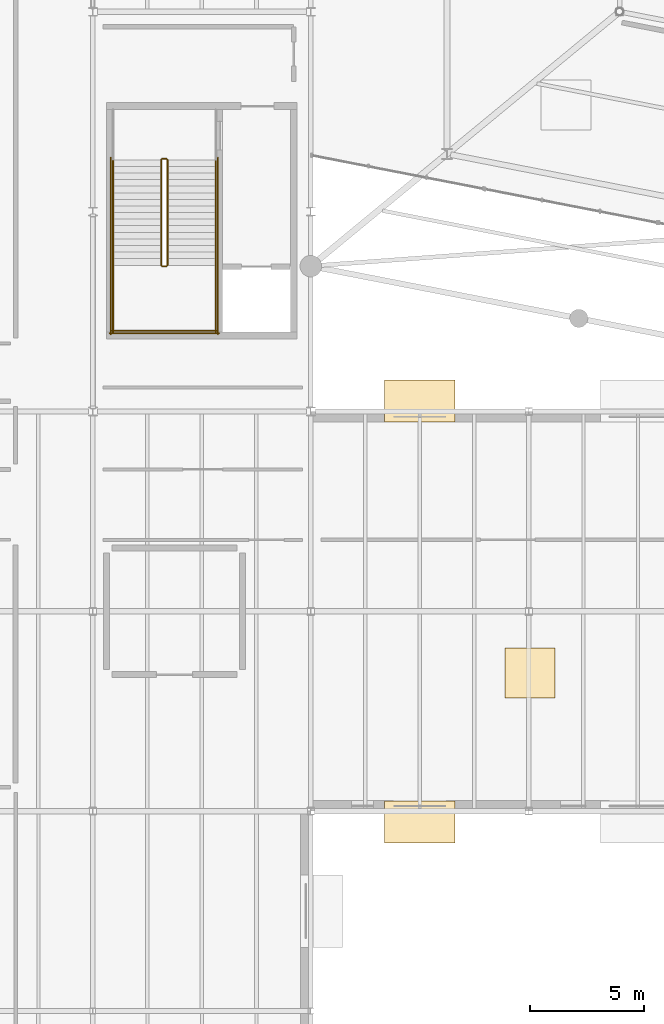
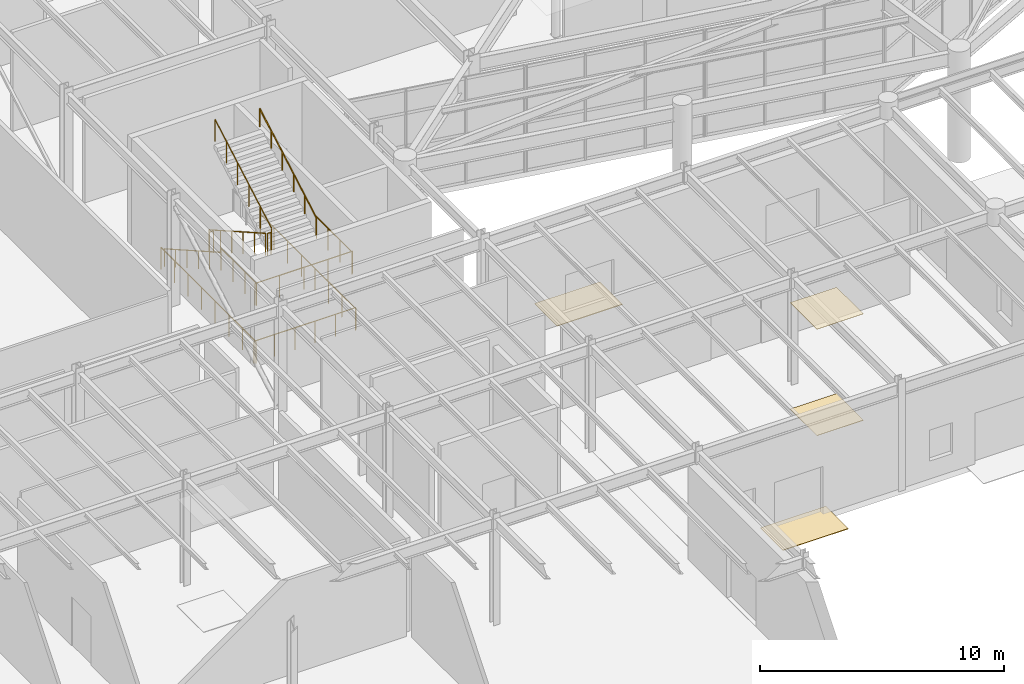
# One storey, part 61 of 70: 12 railings, 4 coverings.
"""IFC4 building model written with IfcOpenShell, lengths in metres."""

from ifc_helpers import new_model, si_unit, direction, frame, origin, origin_2d, place, context, subcontext, project, spatial, rectangle, circle, extrude, material, layer, layer_set, type_object, element, save


model = new_model("IFC4")

# Units and contexts
model_context = context("Model", 3, precision=1e-05, world=origin(), true_north=direction((0.0, 1.0)))
body_context = subcontext(model_context, "Body", "Model", "MODEL_VIEW")
ifc_project = project(units=[si_unit("LENGTHUNIT", "METRE"), si_unit("AREAUNIT", "SQUARE_METRE"), si_unit("VOLUMEUNIT", "CUBIC_METRE"), si_unit("PLANEANGLEUNIT", "RADIAN"), si_unit("MASSUNIT", "GRAM", prefix="KILO")], contexts=[model_context])

# Site, building, storey
site_placement = place(None, origin())
site = spatial("IfcSite", under=ifc_project, at=site_placement, CompositionType="ELEMENT")
building_placement = place(site_placement, origin())
building = spatial("IfcBuilding", under=site, at=building_placement, Name="Sarnbrook Museum", CompositionType="ELEMENT")
storey_placement = place(building_placement, origin())
storey = spatial("IfcBuildingStorey", under=building, at=storey_placement, Name="L00", CompositionType="ELEMENT", Elevation=0.0)

# Coverings
ifc_material_1 = material(Name="Fire-Rated Acoustic Gypsum Plasterboard")
ifc_layer_1 = layer(ifc_material_1, 0.01806640625)
ifc_layer_set_1 = layer_set([ifc_layer_1], Name="Fire-Rated Acoustic Gypsum Plasterboard")
covering_type_1 = type_object("IfcCoveringType", Name="Ceil_Acoustic18", PredefinedType="CEILING", material=ifc_layer_set_1)
covering_1_placement = place(storey_placement, frame((128.844970703125, 45.284912109375, 5.33203125), z_axis=(0.0, 0.0, 1.0), x_axis=(1.0, 0.0, 0.0)))
element("IfcCovering", 1, at=covering_1_placement, inside=storey, type_object=covering_type_1, Name="Acoustic Ceiling Baffle Panel L00-10", PredefinedType="CEILING", context=body_context, shape_type="SweptSolid", body=[
    extrude(rectangle(XDim=2.199951171875, YDim=2.199951171875, at=origin_2d()), origin(), (0.0, 0.0, 1.0), 0.01806640625),
])
ifc_material_2 = material(Name="Honed Bluestone and Marble Terrazzo Flooring", Category="masonry")
ifc_layer_2 = layer(ifc_material_2, 0.02001953125)
ifc_layer_set_2 = layer_set([ifc_layer_2], Name="Honed Bluestone and Marble Terrazzo Flooring")
covering_type_2 = type_object("IfcCoveringType", Name="Floor_Terrazzo20", PredefinedType="FLOORING", material=ifc_layer_set_2)
covering_2_placement = place(storey_placement, frame((128.844970703125, 45.284912109375, 0.0), z_axis=(0.0, 0.0, 1.0), x_axis=(1.0, 0.0, 0.0)))
element("IfcCovering", 2, at=covering_2_placement, inside=storey, type_object=covering_type_2, Name="Gallery Floor Finish Panel L00-10", PredefinedType="FLOORING", context=body_context, shape_type="SweptSolid", body=[
    extrude(rectangle(XDim=2.199951171875, YDim=2.199951171875, at=origin_2d()), origin(), (0.0, 0.0, 1.0), 0.02001953125),
])

# Railings
ifc_material_3 = material(Name="Brushed Stainless Steel Grade 316", Category="steel")
ifc_layer_3 = layer(ifc_material_3, 0.050048828125)
ifc_layer_set_3 = layer_set([ifc_layer_3], Name="Brushed Stainless Steel Grade 316")
railing_type_1 = type_object("IfcRailingType", Name="Guard_Int1120", PredefinedType="BALUSTRADE", material=ifc_layer_set_3)
railing_1_placement = place(storey_placement, frame((112.610107421875, 67.8798828125, 0.164794921875)))
element("IfcRailing", 3, at=railing_1_placement, inside=storey, type_object=railing_type_1, Name="L00 ST1 stair guard 1", PredefinedType="BALUSTRADE", context=body_context, shape_type="SweptSolid", body=[
    extrude(circle(Radius=0.02392578125, at=origin_2d()), frame((0.0, 0.0, 1.09619140625), z_axis=(0.0, -0.869540958685, 0.493860831783), x_axis=(1.0, 0.0, 0.0)), (0.0, 0.0, 1.0), 5.3359375),
    extrude(circle(Radius=0.02099609375, at=origin_2d()), origin(), (0.0, 0.0, 1.0), 1.072021484375),
    extrude(circle(Radius=0.02099609375, at=origin_2d()), frame((0.0, -0.927978515625, 0.527099609375)), (0.0, 0.0, 1.0), 1.072021484375),
    extrude(circle(Radius=0.02099609375, at=origin_2d()), frame((0.0, -1.85595703125, 1.05419921875)), (0.0, 0.0, 1.0), 1.072021484375),
    extrude(circle(Radius=0.02099609375, at=origin_2d()), frame((0.0, -2.783935546875, 1.5810546875)), (0.0, 0.0, 1.0), 1.072021484375),
    extrude(circle(Radius=0.02099609375, at=origin_2d()), frame((0.0, -3.7119140625, 2.108154296875)), (0.0, 0.0, 1.0), 1.072021484375),
    extrude(circle(Radius=0.02099609375, at=origin_2d()), frame((0.0, -4.639892578125, 2.63525390625)), (0.0, 0.0, 1.0), 1.072021484375),
])
railing_2_placement = place(storey_placement, frame((112.659912109375, 63.18994140625, 2.800048828125)))
element("IfcRailing", 4, at=railing_2_placement, inside=storey, type_object=railing_type_1, Name="L00 ST1 stair guard 2", PredefinedType="BALUSTRADE", context=body_context, shape_type="SweptSolid", body=[
    extrude(circle(Radius=0.02392578125, at=origin_2d()), frame((0.0, 0.0, 1.09619140625), z_axis=(1.0, 0.0, 0.0), x_axis=(0.0, 1.0, 0.0)), (0.0, 0.0, 1.0), 0.18017578125),
    extrude(circle(Radius=0.02099609375, at=origin_2d()), origin(), (0.0, 0.0, 1.0), 1.072021484375),
    extrude(circle(Radius=0.02099609375, at=origin_2d()), frame((0.18017578125, 0.0, 0.0)), (0.0, 0.0, 1.0), 1.072021484375),
])
for number, where, name in (
    (5, (110.489990234375, 63.239990234375, 2.800048828125), "L00 ST1 stair guard 3"),
    (6, (115.010009765625, 63.239990234375, 2.800048828125), "L00 ST1 stair guard 4"),
):
    element("IfcRailing", number, at=place(storey_placement, frame(where)), inside=storey, type_object=railing_type_1, Name=name, PredefinedType="BALUSTRADE", context=body_context, shape_type="SweptSolid", body=[
        extrude(circle(Radius=0.02392578125, at=origin_2d()), frame((0.0, 0.0, 1.09619140625), z_axis=(0.0, -1.0, 0.0), x_axis=(1.0, 0.0, 0.0)), (0.0, 0.0, 1.0), 2.93994140625),
        extrude(circle(Radius=0.02099609375, at=origin_2d()), origin(), (0.0, 0.0, 1.0), 1.072021484375),
        extrude(circle(Radius=0.02099609375, at=origin_2d()), frame((0.0, -0.97998046875, 0.0)), (0.0, 0.0, 1.0), 1.072021484375),
        extrude(circle(Radius=0.02099609375, at=origin_2d()), frame((0.0, -1.9599609375, 0.0)), (0.0, 0.0, 1.0), 1.072021484375),
        extrude(circle(Radius=0.02099609375, at=origin_2d()), frame((0.0, -2.93994140625, 0.0)), (0.0, 0.0, 1.0), 1.072021484375),
    ])
railing_3_placement = place(storey_placement, frame((110.43994140625, 60.35009765625, 2.800048828125)))
element("IfcRailing", 7, at=railing_3_placement, inside=storey, type_object=railing_type_1, Name="L00 ST1 stair guard 5", PredefinedType="BALUSTRADE", context=body_context, shape_type="SweptSolid", body=[
    extrude(circle(Radius=0.02392578125, at=origin_2d()), frame((0.0, 0.0, 1.09619140625), z_axis=(1.0, 0.0, 0.0), x_axis=(0.0, 1.0, 0.0)), (0.0, 0.0, 1.0), 4.6201171875),
    extrude(circle(Radius=0.02099609375, at=origin_2d()), origin(), (0.0, 0.0, 1.0), 1.072021484375),
    extrude(circle(Radius=0.02099609375, at=origin_2d()), frame((1.155029296875, 0.0, 0.0)), (0.0, 0.0, 1.0), 1.072021484375),
    extrude(circle(Radius=0.02099609375, at=origin_2d()), frame((2.31005859375, 0.0, 0.0)), (0.0, 0.0, 1.0), 1.072021484375),
    extrude(circle(Radius=0.02099609375, at=origin_2d()), frame((3.465087890625, 0.0, 0.0)), (0.0, 0.0, 1.0), 1.072021484375),
    extrude(circle(Radius=0.02099609375, at=origin_2d()), frame((4.6201171875, 0.0, 0.0)), (0.0, 0.0, 1.0), 1.072021484375),
])
railing_4_placement = place(storey_placement, frame((112.889892578125, 63.239990234375, 2.964599609375)))
element("IfcRailing", 8, at=railing_4_placement, inside=storey, type_object=railing_type_1, Name="L00 ST1 stair guard 6", PredefinedType="BALUSTRADE", context=body_context, shape_type="SweptSolid", body=[
    extrude(circle(Radius=0.02392578125, at=origin_2d()), frame((0.0, 0.0, 1.09619140625), z_axis=(0.0, 0.869521310511, 0.493895424728), x_axis=(-1.0, 0.0, 0.0)), (0.0, 0.0, 1.0), 5.336181640625),
    extrude(circle(Radius=0.02099609375, at=origin_2d()), origin(), (0.0, 0.0, 1.0), 1.072021484375),
    extrude(circle(Radius=0.02099609375, at=origin_2d()), frame((0.0, 0.927978515625, 0.527099609375)), (0.0, 0.0, 1.0), 1.072021484375),
    extrude(circle(Radius=0.02099609375, at=origin_2d()), frame((0.0, 1.85595703125, 1.05419921875)), (0.0, 0.0, 1.0), 1.072021484375),
    extrude(circle(Radius=0.02099609375, at=origin_2d()), frame((0.0, 2.783935546875, 1.581298828125)), (0.0, 0.0, 1.0), 1.072021484375),
    extrude(circle(Radius=0.02099609375, at=origin_2d()), frame((0.0, 3.7119140625, 2.1083984375)), (0.0, 0.0, 1.0), 1.072021484375),
    extrude(circle(Radius=0.02099609375, at=origin_2d()), frame((0.0, 4.639892578125, 2.635498046875)), (0.0, 0.0, 1.0), 1.072021484375),
])
railing_5_placement = place(storey_placement, frame((112.659912109375, 67.929931640625, 0.0)))
element("IfcRailing", 9, at=railing_5_placement, inside=storey, type_object=railing_type_1, Name="L00 ST1 stair guard 7", PredefinedType="BALUSTRADE", context=body_context, shape_type="SweptSolid", body=[
    extrude(circle(Radius=0.02392578125, at=origin_2d()), frame((0.0, 0.0, 1.09619140625), z_axis=(1.0, 0.0, 0.0), x_axis=(0.0, 1.0, 0.0)), (0.0, 0.0, 1.0), 0.18017578125),
    extrude(circle(Radius=0.02099609375, at=origin_2d()), origin(), (0.0, 0.0, 1.0), 1.072021484375),
    extrude(circle(Radius=0.02099609375, at=origin_2d()), frame((0.18017578125, 0.0, 0.0)), (0.0, 0.0, 1.0), 1.072021484375),
])
for number, where, name in (
    (10, (110.389892578125, 67.97998046875, 0.0), "L00 ST1 stair guard 10"),
    (11, (115.110107421875, 67.97998046875, 0.0), "L00 ST1 stair guard 11"),
):
    element("IfcRailing", number, at=place(storey_placement, frame(where)), inside=storey, type_object=railing_type_1, Name=name, PredefinedType="BALUSTRADE", context=body_context, shape_type="SweptSolid", body=[
        extrude(circle(Radius=0.02392578125, at=origin_2d()), frame((0.0, 0.0, 1.09619140625), z_axis=(0.0, -1.0, 0.0), x_axis=(1.0, 0.0, 0.0)), (0.0, 0.0, 1.0), 7.780029296875),
        extrude(circle(Radius=0.02099609375, at=origin_2d()), origin(), (0.0, 0.0, 1.0), 1.072021484375),
        extrude(circle(Radius=0.02099609375, at=origin_2d()), frame((0.0, -1.111328125, 0.0)), (0.0, 0.0, 1.0), 1.072021484375),
        extrude(circle(Radius=0.02099609375, at=origin_2d()), frame((0.0, -2.222900390625, 0.0)), (0.0, 0.0, 1.0), 1.072021484375),
        extrude(circle(Radius=0.02099609375, at=origin_2d()), frame((0.0, -3.334228515625, 0.0)), (0.0, 0.0, 1.0), 1.072021484375),
        extrude(circle(Radius=0.02099609375, at=origin_2d()), frame((0.0, -4.44580078125, 0.0)), (0.0, 0.0, 1.0), 1.072021484375),
        extrude(circle(Radius=0.02099609375, at=origin_2d()), frame((0.0, -5.55712890625, 0.0)), (0.0, 0.0, 1.0), 1.072021484375),
        extrude(circle(Radius=0.02099609375, at=origin_2d()), frame((0.0, -6.668701171875, 0.0)), (0.0, 0.0, 1.0), 1.072021484375),
        extrude(circle(Radius=0.02099609375, at=origin_2d()), frame((0.0, -7.780029296875, 0.0)), (0.0, 0.0, 1.0), 1.072021484375),
    ])
railing_6_placement = place(storey_placement, frame((110.340087890625, 60.25, 0.0)))
element("IfcRailing", 12, at=railing_6_placement, inside=storey, type_object=railing_type_1, Name="L00 ST1 stair guard 12", PredefinedType="BALUSTRADE", context=body_context, shape_type="SweptSolid", body=[
    extrude(circle(Radius=0.02392578125, at=origin_2d()), frame((0.0, 0.0, 1.09619140625), z_axis=(1.0, 0.0, 0.0), x_axis=(0.0, 1.0, 0.0)), (0.0, 0.0, 1.0), 4.81982421875),
    extrude(circle(Radius=0.02099609375, at=origin_2d()), origin(), (0.0, 0.0, 1.0), 1.072021484375),
    extrude(circle(Radius=0.02099609375, at=origin_2d()), frame((0.9638671875, 0.0, 0.0)), (0.0, 0.0, 1.0), 1.072021484375),
    extrude(circle(Radius=0.02099609375, at=origin_2d()), frame((1.927978515625, 0.0, 0.0)), (0.0, 0.0, 1.0), 1.072021484375),
    extrude(circle(Radius=0.02099609375, at=origin_2d()), frame((2.891845703125, 0.0, 0.0)), (0.0, 0.0, 1.0), 1.072021484375),
    extrude(circle(Radius=0.02099609375, at=origin_2d()), frame((3.85595703125, 0.0, 0.0)), (0.0, 0.0, 1.0), 1.072021484375),
    extrude(circle(Radius=0.02099609375, at=origin_2d()), frame((4.81982421875, 0.0, 0.0)), (0.0, 0.0, 1.0), 1.072021484375),
])
ifc_layer_4 = layer(ifc_material_3, 0.048095703125)
ifc_layer_set_4 = layer_set([ifc_layer_4], Name="Brushed Stainless Steel Grade 316")
railing_type_2 = type_object("IfcRailingType", Name="Handrail_920", PredefinedType="HANDRAIL", material=ifc_layer_set_4)
railing_7_placement = place(storey_placement, frame((110.489990234375, 67.8798828125, 0.164794921875)))
element("IfcRailing", 13, at=railing_7_placement, inside=storey, type_object=railing_type_2, Name="L00 ST1 stair handrail 1", PredefinedType="HANDRAIL", context=body_context, shape_type="SweptSolid", body=[
    extrude(circle(Radius=0.02392578125, at=origin_2d()), frame((0.0, 0.0, 0.8857421875), z_axis=(0.0, -0.869540958685, 0.493860831783), x_axis=(1.0, 0.0, 0.0)), (0.0, 0.0, 1.0), 5.3359375),
    extrude(circle(Radius=0.02099609375, at=origin_2d()), origin(), (0.0, 0.0, 1.0), 0.86181640625),
    extrude(circle(Radius=0.02099609375, at=origin_2d()), frame((0.0, -0.927978515625, 0.527099609375)), (0.0, 0.0, 1.0), 0.86181640625),
    extrude(circle(Radius=0.02099609375, at=origin_2d()), frame((0.0, -1.85595703125, 1.05419921875)), (0.0, 0.0, 1.0), 0.86181640625),
    extrude(circle(Radius=0.02099609375, at=origin_2d()), frame((0.0, -2.783935546875, 1.5810546875)), (0.0, 0.0, 1.0), 0.86181640625),
    extrude(circle(Radius=0.02099609375, at=origin_2d()), frame((0.0, -3.7119140625, 2.108154296875)), (0.0, 0.0, 1.0), 0.86181640625),
    extrude(circle(Radius=0.02099609375, at=origin_2d()), frame((0.0, -4.639892578125, 2.63525390625)), (0.0, 0.0, 1.0), 0.86181640625),
])
railing_8_placement = place(storey_placement, frame((115.010009765625, 63.239990234375, 2.964599609375)))
element("IfcRailing", 14, at=railing_8_placement, inside=storey, type_object=railing_type_2, Name="L00 ST1 stair handrail 2", PredefinedType="HANDRAIL", context=body_context, shape_type="SweptSolid", body=[
    extrude(circle(Radius=0.02392578125, at=origin_2d()), frame((0.0, 0.0, 0.8857421875), z_axis=(0.0, 0.869521310511, 0.493895424728), x_axis=(-1.0, 0.0, 0.0)), (0.0, 0.0, 1.0), 5.336181640625),
    extrude(circle(Radius=0.02099609375, at=origin_2d()), origin(), (0.0, 0.0, 1.0), 0.86181640625),
    extrude(circle(Radius=0.02099609375, at=origin_2d()), frame((0.0, 0.927978515625, 0.527099609375)), (0.0, 0.0, 1.0), 0.86181640625),
    extrude(circle(Radius=0.02099609375, at=origin_2d()), frame((0.0, 1.85595703125, 1.05419921875)), (0.0, 0.0, 1.0), 0.86181640625),
    extrude(circle(Radius=0.02099609375, at=origin_2d()), frame((0.0, 2.783935546875, 1.581298828125)), (0.0, 0.0, 1.0), 0.86181640625),
    extrude(circle(Radius=0.02099609375, at=origin_2d()), frame((0.0, 3.7119140625, 2.1083984375)), (0.0, 0.0, 1.0), 0.86181640625),
    extrude(circle(Radius=0.02099609375, at=origin_2d()), frame((0.0, 4.639892578125, 2.635498046875)), (0.0, 0.0, 1.0), 0.86181640625),
])

# Coverings
ifc_material_4 = material(Name="Victorian Bluestone Ashlar Masonry", Category="masonry")
ifc_layer_5 = layer(ifc_material_4, 0.030029296875)
ifc_layer_set_5 = layer_set([ifc_layer_5], Name="Victorian Bluestone Ashlar Masonry")
covering_type_3 = type_object("IfcCoveringType", Name="Paving_BluestoneApron", PredefinedType="FLOORING", material=ifc_layer_set_5)
for number, where, z_axis, x_axis, name in (
    (15, (124.0, 38.72998046875, -0.02978515625), (0.0, 0.0, 1.0), (1.0, 0.0, 0.0), "Exterior Bluestone Entry Paving 13"),
    (16, (124.0, 57.27001953125, -0.02978515625), (0.0, 0.0, 1.0), (1.0, 0.0, 0.0), "Exterior Bluestone Entry Paving 15"),
):
    element("IfcCovering", number, at=place(storey_placement, frame(where, z_axis=z_axis, x_axis=x_axis)), inside=storey, type_object=covering_type_3, Name=name, PredefinedType="FLOORING", context=body_context, shape_type="SweptSolid", body=[
        extrude(rectangle(XDim=3.10009765625, YDim=1.85009765625, at=origin_2d()), origin(), (0.0, 0.0, 1.0), 0.030029296875),
    ])

save(model, "model.ifc")
